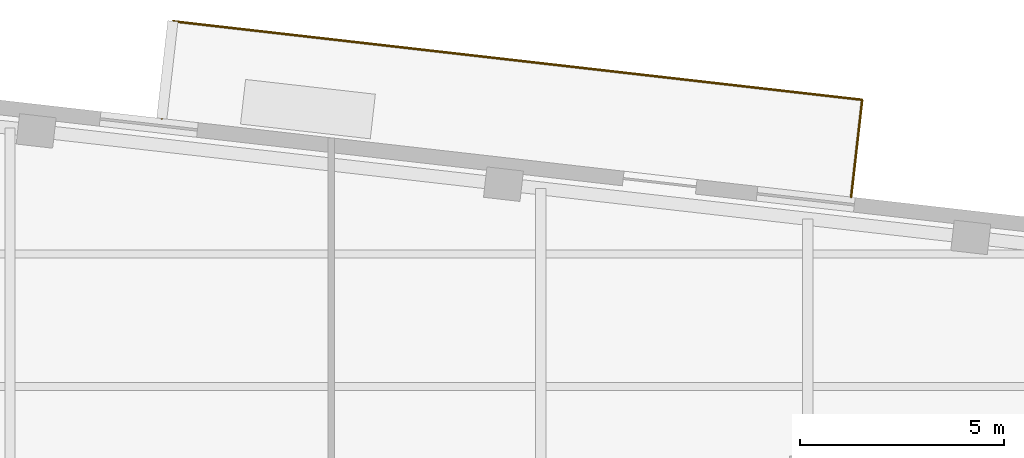
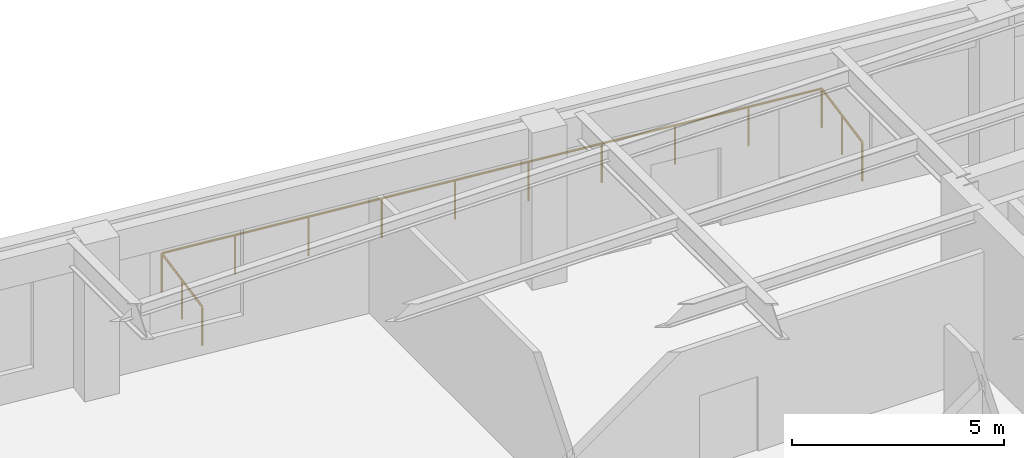
# One storey, part 15 of 15: 1 railing.
"""IFC4 building model written with IfcOpenShell, lengths in metres."""

from ifc_helpers import new_model, si_unit, direction, frame, origin, origin_2d, place, context, subcontext, project, spatial, circle, extrude, material, type_object, element, save


model = new_model("IFC4")

# Units and contexts
model_context = context("Model", 3, precision=1e-05, world=origin(), true_north=direction((0.0, 1.0)))
body_context = subcontext(model_context, "Body", "Model", "MODEL_VIEW")
ifc_project = project(units=[si_unit("LENGTHUNIT", "METRE"), si_unit("AREAUNIT", "SQUARE_METRE"), si_unit("VOLUMEUNIT", "CUBIC_METRE"), si_unit("PLANEANGLEUNIT", "RADIAN"), si_unit("MASSUNIT", "GRAM", prefix="KILO")], contexts=[model_context])

# Site, building, storey
site_placement = place(None, origin())
site = spatial("IfcSite", under=ifc_project, at=site_placement, CompositionType="ELEMENT")
building_placement = place(site_placement, origin())
building = spatial("IfcBuilding", under=site, at=building_placement, Name="Kolvaren Arena Tower", CompositionType="ELEMENT")
storey_placement = place(building_placement, frame((0.0, 0.0, 216.14990234375)))
storey = spatial("IfcBuildingStorey", under=building, at=storey_placement, Name="L52", CompositionType="ELEMENT", Elevation=216.14990234375)

# Railing
ifc_material = material(Name="Stainless steel and laminated glass guard", Category="steel")
railing_type = type_object("IfcRailingType", Name="GUARD-TER-115", PredefinedType="BALUSTRADE", material=ifc_material)
railing_placement = place(storey_placement, frame((34.71875, 48.066650390625, 0.0)))
element("IfcRailing", 1, at=railing_placement, inside=storey, type_object=railing_type, Name="Setback Terrace Perimeter Guardrail (L52)", PredefinedType="BALUSTRADE", context=body_context, shape_type="SweptSolid", body=[
    extrude(circle(Radius=0.030029296875, at=origin_2d()), frame((0.0, 0.0, 1.119873046875), z_axis=(0.113222385986, 0.993569671091, 0.0), x_axis=(-0.993569671091, 0.113222385986, 0.0)), (0.0, 0.0, 1.0), 2.39990234375),
    extrude(circle(Radius=0.030029296875, at=origin_2d()), frame((0.271728515625, 2.384521484375, 1.119873046875), z_axis=(0.99357108213, -0.113210002897, 0.0), x_axis=(0.113210002897, 0.99357108213, 0.0)), (0.0, 0.0, 1.0), 17.0),
    extrude(circle(Radius=0.030029296875, at=origin_2d()), frame((17.162353515625, 0.4599609375, 1.119873046875), z_axis=(-0.113222385986, -0.993569671091, 0.0), x_axis=(0.993569671091, -0.113222385986, 0.0)), (0.0, 0.0, 1.0), 2.39990234375),
    extrude(circle(Radius=0.02490234375, at=origin_2d()), origin(), (0.0, 0.0, 1.0), 1.08984375),
    extrude(circle(Radius=0.02490234375, at=origin_2d()), frame((0.1357421875, 1.1923828125, 0.0)), (0.0, 0.0, 1.0), 1.08984375),
    extrude(circle(Radius=0.02490234375, at=origin_2d()), frame((0.271728515625, 2.384521484375, 0.0)), (0.0, 0.0, 1.0), 1.08984375),
    extrude(circle(Radius=0.02490234375, at=origin_2d()), frame((2.1484375, 2.170654296875, 0.0)), (0.0, 0.0, 1.0), 1.08984375),
    extrude(circle(Radius=0.02490234375, at=origin_2d()), frame((4.025146484375, 1.956787109375, 0.0)), (0.0, 0.0, 1.0), 1.08984375),
    extrude(circle(Radius=0.02490234375, at=origin_2d()), frame((5.90185546875, 1.742919921875, 0.0)), (0.0, 0.0, 1.0), 1.08984375),
    extrude(circle(Radius=0.02490234375, at=origin_2d()), frame((7.778564453125, 1.529052734375, 0.0)), (0.0, 0.0, 1.0), 1.08984375),
    extrude(circle(Radius=0.02490234375, at=origin_2d()), frame((9.655517578125, 1.3154296875, 0.0)), (0.0, 0.0, 1.0), 1.08984375),
    extrude(circle(Radius=0.02490234375, at=origin_2d()), frame((11.5322265625, 1.1015625, 0.0)), (0.0, 0.0, 1.0), 1.08984375),
    extrude(circle(Radius=0.02490234375, at=origin_2d()), frame((13.408935546875, 0.8876953125, 0.0)), (0.0, 0.0, 1.0), 1.08984375),
    extrude(circle(Radius=0.02490234375, at=origin_2d()), frame((15.28564453125, 0.673828125, 0.0)), (0.0, 0.0, 1.0), 1.08984375),
    extrude(circle(Radius=0.02490234375, at=origin_2d()), frame((17.162353515625, 0.4599609375, 0.0)), (0.0, 0.0, 1.0), 1.08984375),
    extrude(circle(Radius=0.02490234375, at=origin_2d()), frame((17.0263671875, -0.732421875, 0.0)), (0.0, 0.0, 1.0), 1.08984375),
    extrude(circle(Radius=0.02490234375, at=origin_2d()), frame((16.890625, -1.924560546875, 0.0)), (0.0, 0.0, 1.0), 1.08984375),
])

save(model, "model.ifc")
